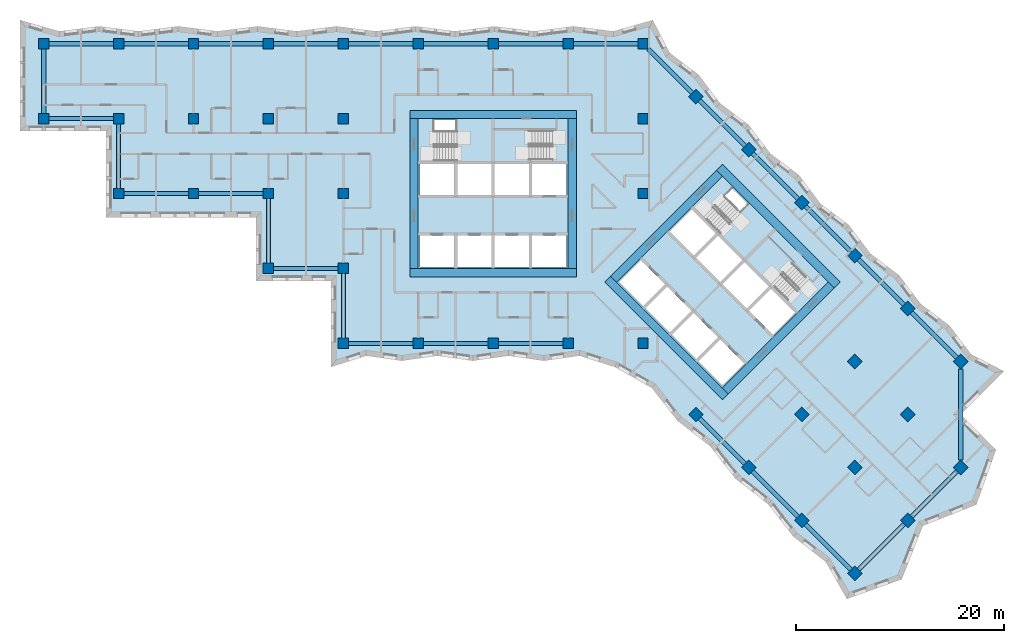
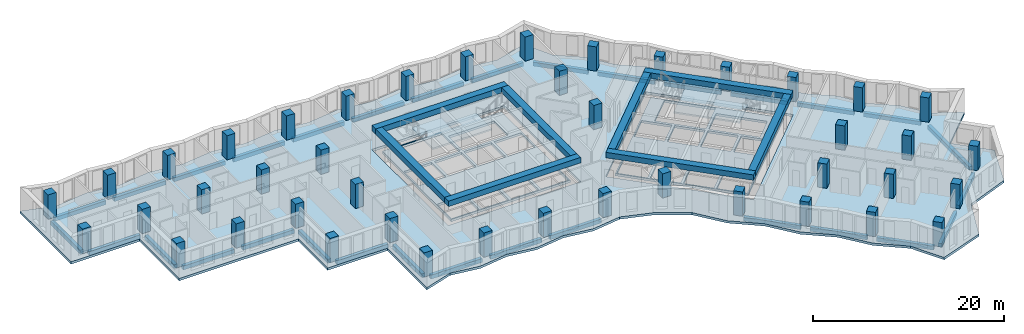
# One storey, part 1 of 13: 43 columns, 39 beams, 7 slabs, 22 openings, 4 elements without a shape of their own.
"""IFC4 building model written with IfcOpenShell, lengths in metres."""

from ifc_helpers import new_model, si_unit, direction, frame, origin, origin_2d, place, context, subcontext, project, spatial, polyline, rectangle, outline, extrude, material, layer, layer_set, material_profile, profile_set, type_object, element, aggregate, save


model = new_model("IFC4")

# Units and contexts
model_context = context("Model", 3, precision=1e-05, world=origin(), true_north=direction((0.0, 1.0)))
body_context = subcontext(model_context, "Body", "Model", "MODEL_VIEW")
ifc_project = project(units=[si_unit("LENGTHUNIT", "METRE"), si_unit("AREAUNIT", "SQUARE_METRE"), si_unit("VOLUMEUNIT", "CUBIC_METRE"), si_unit("PLANEANGLEUNIT", "RADIAN"), si_unit("MASSUNIT", "GRAM", prefix="KILO")], contexts=[model_context])

# Site, building, storey
site_placement = place(None, origin())
site = spatial("IfcSite", under=ifc_project, at=site_placement, CompositionType="ELEMENT")
building_placement = place(site_placement, origin())
building = spatial("IfcBuilding", under=site, at=building_placement, Name="Windrow Commons", CompositionType="ELEMENT")
storey_placement = place(building_placement, frame((0.0, 0.0, 101.6)))
storey = spatial("IfcBuildingStorey", under=building, at=storey_placement, Name="L27", CompositionType="ELEMENT", Elevation=101.6)

# Columns
ifc_material_1 = material(Name="Concrete C60/75", Category="concrete")
ifc_material_profile_1 = material_profile(ifc_material_1, rectangle(XDim=1.0, YDim=1.0, at=origin_2d()))
ifc_profile_set_1 = profile_set([ifc_material_profile_1], Name="Concrete C60/75")
column_type = type_object("IfcColumnType", Name="RC COLUMN 1000x1000 C60/75", PredefinedType="COLUMN", material=ifc_profile_set_1)
for number, where, z_axis, x_axis, name in (
    (1, (21.6, 64.8, 0.0), (0.0, 0.0, 1.0), (1.0, 0.0, 0.0), "C-Z2-04I"),
    (2, (21.6, 72.0, 0.0), (0.0, 0.0, 1.0), (1.0, 0.0, 0.0), "C-Z2-04J"),
    (3, (28.8, 57.6, 0.0), (0.0, 0.0, 1.0), (1.0, 0.0, 0.0), "C-Z2-05H"),
    (4, (28.8, 64.8, 0.0), (0.0, 0.0, 1.0), (1.0, 0.0, 0.0), "C-Z2-05I"),
    (5, (28.8, 72.0, 0.0), (0.0, 0.0, 1.0), (1.0, 0.0, 0.0), "C-Z2-05J"),
    (6, (36.0, 57.6, 0.0), (0.0, 0.0, 1.0), (1.0, 0.0, 0.0), "C-Z2-06H"),
    (7, (36.0, 64.8, 0.0), (0.0, 0.0, 1.0), (1.0, 0.0, 0.0), "C-Z2-06I"),
    (8, (36.0, 72.0, 0.0), (0.0, 0.0, 1.0), (1.0, 0.0, 0.0), "C-Z2-06J"),
    (9, (43.2, 50.4, 0.0), (0.0, 0.0, 1.0), (1.0, 0.0, 0.0), "C-Z2-07G"),
    (10, (43.2, 57.6, 0.0), (0.0, 0.0, 1.0), (1.0, 0.0, 0.0), "C-Z2-07H"),
    (11, (43.2, 64.8, 0.0), (0.0, 0.0, 1.0), (1.0, 0.0, 0.0), "C-Z2-07I"),
    (12, (43.2, 72.0, 0.0), (0.0, 0.0, 1.0), (1.0, 0.0, 0.0), "C-Z2-07J"),
    (13, (50.4, 43.2, 0.0), (0.0, 0.0, 1.0), (1.0, 0.0, 0.0), "C-Z2-08F"),
    (14, (50.4, 50.4, 0.0), (0.0, 0.0, 1.0), (1.0, 0.0, 0.0), "C-Z2-08G"),
    (15, (50.4, 57.6, 0.0), (0.0, 0.0, 1.0), (1.0, 0.0, 0.0), "C-Z2-08H"),
    (16, (50.4, 64.8, 0.0), (0.0, 0.0, 1.0), (1.0, 0.0, 0.0), "C-Z2-08I"),
    (17, (50.4, 72.0, 0.0), (0.0, 0.0, 1.0), (1.0, 0.0, 0.0), "C-Z2-08J"),
    (18, (57.6, 43.2, 0.0), (0.0, 0.0, 1.0), (1.0, 0.0, 0.0), "C-Z2-09F"),
    (19, (57.6, 72.0, 0.0), (0.0, 0.0, 1.0), (1.0, 0.0, 0.0), "C-Z2-09J"),
    (20, (64.8, 43.2, 0.0), (0.0, 0.0, 1.0), (1.0, 0.0, 0.0), "C-Z2-10F"),
    (21, (64.8, 72.0, 0.0), (0.0, 0.0, 1.0), (1.0, 0.0, 0.0), "C-Z2-10J"),
    (22, (72.0, 43.2, 0.0), (0.0, 0.0, 1.0), (1.0, 0.0, 0.0), "C-Z2-11F"),
    (23, (72.0, 72.0, 0.0), (0.0, 0.0, 1.0), (1.0, 0.0, 0.0), "C-Z2-11J"),
    (24, (79.2, 43.2, 0.0), (0.0, 0.0, 1.0), (1.0, 0.0, 0.0), "C-Z2-12F"),
    (25, (79.2, 57.6, 0.0), (0.0, 0.0, 1.0), (1.0, 0.0, 0.0), "C-Z2-12H"),
    (26, (79.2, 64.8, 0.0), (0.0, 0.0, 1.0), (1.0, 0.0, 0.0), "C-Z2-12I"),
    (27, (79.2, 72.0, 0.0), (0.0, 0.0, 1.0), (1.0, 0.0, 0.0), "C-Z2-12J"),
    (28, (84.2912, 66.9088, 0.0), (0.0, 0.0, 1.0), (0.7071067812, -0.7071067812, 0.0), "C-Z2-P2Q"),
    (29, (89.3823, 61.8177, 0.0), (0.0, 0.0, 1.0), (0.7071067812, -0.7071067812, 0.0), "C-Z2-P3Q"),
    (30, (94.4735, 56.7265, 0.0), (0.0, 0.0, 1.0), (0.7071067812, -0.7071067812, 0.0), "C-Z2-P4Q"),
    (31, (99.5647, 51.6353, 0.0), (0.0, 0.0, 1.0), (0.7071067812, -0.7071067812, 0.0), "C-Z2-P5Q"),
    (32, (84.2912, 36.3618, 0.0), (0.0, 0.0, 1.0), (0.7071067812, -0.7071067812, 0.0), "C-Z2-P5T"),
    (33, (104.6558, 46.5442, 0.0), (0.0, 0.0, 1.0), (0.7071067812, -0.7071067812, 0.0), "C-Z2-P6Q"),
    (34, (99.5647, 41.453, 0.0), (0.0, 0.0, 1.0), (0.7071067812, -0.7071067812, 0.0), "C-Z2-P6R"),
    (35, (94.4735, 36.3618, 0.0), (0.0, 0.0, 1.0), (0.7071067812, -0.7071067812, 0.0), "C-Z2-P6S"),
    (36, (89.3823, 31.2706, 0.0), (0.0, 0.0, 1.0), (0.7071067812, -0.7071067812, 0.0), "C-Z2-P6T"),
    (37, (109.747, 41.453, 0.0), (0.0, 0.0, 1.0), (0.7071067812, -0.7071067812, 0.0), "C-Z2-P7Q"),
    (38, (104.6558, 36.3618, 0.0), (0.0, 0.0, 1.0), (0.7071067812, -0.7071067812, 0.0), "C-Z2-P7R"),
    (39, (99.5647, 31.2706, 0.0), (0.0, 0.0, 1.0), (0.7071067812, -0.7071067812, 0.0), "C-Z2-P7S"),
    (40, (94.4735, 26.1795, 0.0), (0.0, 0.0, 1.0), (0.7071067812, -0.7071067812, 0.0), "C-Z2-P7T"),
    (41, (109.747, 31.2706, 0.0), (0.0, 0.0, 1.0), (0.7071067812, -0.7071067812, 0.0), "C-Z2-P8R"),
    (42, (104.6558, 26.1795, 0.0), (0.0, 0.0, 1.0), (0.7071067812, -0.7071067812, 0.0), "C-Z2-P8S"),
    (43, (99.5647, 21.0883, 0.0), (0.0, 0.0, 1.0), (0.7071067812, -0.7071067812, 0.0), "C-Z2-P8T"),
):
    element("IfcColumn", number, at=place(storey_placement, frame(where, z_axis=z_axis, x_axis=x_axis)), inside=storey, type_object=column_type, Name=name, PredefinedType="COLUMN", context=body_context, shape_type="SweptSolid", body=[
        extrude(rectangle(XDim=1.0, YDim=1.0, at=origin_2d()), origin(), (0.0, 0.0, 1.0), 3.1),
    ])

# Beams
ifc_material_2 = material(Name="Concrete C50/60", Category="concrete")
ifc_material_profile_2 = material_profile(ifc_material_2, rectangle(XDim=0.8, YDim=0.7, at=origin_2d()))
ifc_profile_set_2 = profile_set([ifc_material_profile_2], Name="Concrete C50/60")
beam_type_1 = type_object("IfcBeamType", Name="RC COUPLING BEAM 800x700 C50/60", PredefinedType="LINTEL", material=ifc_profile_set_2)
for number, where, z_axis, x_axis, name in (
    (44, (56.8, 50.0, 2.75), (1.0, 0.0, 0.0), (0.0, 1.0, 0.0), "Core A coupling beam outer-S"),
    (45, (56.8, 65.2, 2.75), (1.0, 0.0, 0.0), (0.0, 1.0, 0.0), "Core A coupling beam outer-N"),
):
    element("IfcBeam", number, at=place(storey_placement, frame(where, z_axis=z_axis, x_axis=x_axis)), inside=storey, type_object=beam_type_1, Name=name, PredefinedType="LINTEL", context=body_context, shape_type="SweptSolid", body=[
        extrude(rectangle(XDim=0.8, YDim=0.7, at=origin_2d()), origin(), (0.0, 0.0, 1.0), 16.0),
    ])
for number, where, z_axis, x_axis, name in (
    (46, (57.2, 50.4, 2.75), (0.0, 1.0, 0.0), (-1.0, 0.0, 0.0), "Core A coupling beam outer-W"),
    (47, (72.4, 50.4, 2.75), (0.0, 1.0, 0.0), (-1.0, 0.0, 0.0), "Core A coupling beam outer-E"),
):
    element("IfcBeam", number, at=place(storey_placement, frame(where, z_axis=z_axis, x_axis=x_axis)), inside=storey, type_object=beam_type_1, Name=name, PredefinedType="LINTEL", context=body_context, shape_type="SweptSolid", body=[
        extrude(rectangle(XDim=0.8, YDim=0.7, at=origin_2d()), origin(), (0.0, 0.0, 1.0), 14.4),
    ])
for number, where, z_axis, x_axis, name in (
    (48, (75.8059, 49.3726, 2.75), (0.7071067812, -0.7071067812, 0.0), (0.7071067812, 0.7071067812, 0.0), "Core B coupling beam outer-S"),
    (49, (86.5539, 60.1206, 2.75), (0.7071067812, -0.7071067812, 0.0), (0.7071067812, 0.7071067812, 0.0), "Core B coupling beam outer-N"),
):
    element("IfcBeam", number, at=place(storey_placement, frame(where, z_axis=z_axis, x_axis=x_axis)), inside=storey, type_object=beam_type_1, Name=name, PredefinedType="LINTEL", context=body_context, shape_type="SweptSolid", body=[
        extrude(rectangle(XDim=0.8, YDim=0.7, at=origin_2d()), origin(), (0.0, 0.0, 1.0), 16.0),
    ])
for number, where, z_axis, x_axis, name in (
    (50, (76.3716, 49.3726, 2.75), (0.7071067812, 0.7071067812, 0.0), (-0.7071067812, 0.7071067812, 0.0), "Core B coupling beam outer-W"),
    (51, (87.1196, 38.6246, 2.75), (0.7071067812, 0.7071067812, 0.0), (-0.7071067812, 0.7071067812, 0.0), "Core B coupling beam outer-E"),
):
    element("IfcBeam", number, at=place(storey_placement, frame(where, z_axis=z_axis, x_axis=x_axis)), inside=storey, type_object=beam_type_1, Name=name, PredefinedType="LINTEL", context=body_context, shape_type="SweptSolid", body=[
        extrude(rectangle(XDim=0.8, YDim=0.7, at=origin_2d()), origin(), (0.0, 0.0, 1.0), 14.3999),
    ])
ifc_material_3 = material(Name="Concrete C50/60", Category="concrete")
ifc_material_profile_3 = material_profile(ifc_material_3, rectangle(XDim=0.4, YDim=0.5, at=origin_2d()))
ifc_profile_set_3 = profile_set([ifc_material_profile_3], Name="Concrete C50/60")
beam_type_2 = type_object("IfcBeamType", Name="RC EDGE BEAM 400x500 C50/60", PredefinedType="SPANDREL", material=ifc_profile_set_3)
for number, where, z_axis, x_axis, name in (
    (52, (35.5, 57.6, -0.55), (-1.0, 0.0, 0.0), (0.0, -1.0, 0.0), "Edge beam L27 001"),
    (53, (28.8, 58.1, -0.55), (0.0, 1.0, 0.0), (-1.0, 0.0, 0.0), "Edge beam L27 002"),
    (54, (28.3, 64.8, -0.55), (-1.0, 0.0, 0.0), (0.0, -1.0, 0.0), "Edge beam L27 003"),
    (55, (21.6, 65.3, -0.55), (0.0, 1.0, 0.0), (-1.0, 0.0, 0.0), "Edge beam L27 004"),
    (56, (22.1, 72.0, -0.55), (1.0, 0.0, 0.0), (0.0, 1.0, 0.0), "Edge beam L27 005"),
    (57, (29.3, 72.0, -0.55), (1.0, 0.0, 0.0), (0.0, 1.0, 0.0), "Edge beam L27 006"),
    (58, (36.5, 72.0, -0.55), (1.0, 0.0, 0.0), (0.0, 1.0, 0.0), "Edge beam L27 007"),
    (59, (43.7, 72.0, -0.55), (1.0, 0.0, 0.0), (0.0, 1.0, 0.0), "Edge beam L27 008"),
    (60, (50.9, 72.0, -0.55), (1.0, 0.0, 0.0), (0.0, 1.0, 0.0), "Edge beam L27 009"),
    (61, (58.1, 72.0, -0.55), (1.0, 0.0, 0.0), (0.0, 1.0, 0.0), "Edge beam L27 010"),
    (62, (65.3, 72.0, -0.55), (1.0, 0.0, 0.0), (0.0, 1.0, 0.0), "Edge beam L27 011"),
    (63, (72.5, 72.0, -0.55), (1.0, 0.0, 0.0), (0.0, 1.0, 0.0), "Edge beam L27 012"),
):
    element("IfcBeam", number, at=place(storey_placement, frame(where, z_axis=z_axis, x_axis=x_axis)), inside=storey, type_object=beam_type_2, Name=name, PredefinedType="SPANDREL", context=body_context, shape_type="SweptSolid", body=[
        extrude(rectangle(XDim=0.4, YDim=0.5, at=origin_2d()), origin(), (0.0, 0.0, 1.0), 6.2),
    ])
beam_1_placement = place(storey_placement, frame((79.7, 71.5, -0.55), z_axis=(0.7071067812, -0.7071067812, 0.0), x_axis=(0.7071067812, 0.7071067812, 0.0)))
element("IfcBeam", 64, at=beam_1_placement, inside=storey, type_object=beam_type_2, Name="Edge beam L27 013", PredefinedType="SPANDREL", context=body_context, shape_type="SweptSolid", body=[
    extrude(rectangle(XDim=0.4, YDim=0.5, at=origin_2d()), origin(), (0.0, 0.0, 1.0), 5.9929),
])
beam_2_placement = place(storey_placement, frame((84.6448, 66.5552, -0.55), z_axis=(0.7071067812, -0.7071067812, 0.0), x_axis=(0.7071067812, 0.7071067812, 0.0)))
element("IfcBeam", 65, at=beam_2_placement, inside=storey, type_object=beam_type_2, Name="Edge beam L27 014", PredefinedType="SPANDREL", context=body_context, shape_type="SweptSolid", body=[
    extrude(rectangle(XDim=0.4, YDim=0.5, at=origin_2d()), origin(), (0.0, 0.0, 1.0), 6.1998),
])
for number, where, z_axis, x_axis, name in (
    (66, (89.7359, 61.4641, -0.55), (0.7071067812, -0.7071067812, 0.0), (0.7071067812, 0.7071067812, 0.0), "Edge beam L27 015"),
    (67, (94.8271, 56.3729, -0.55), (0.7071067812, -0.7071067812, 0.0), (0.7071067812, 0.7071067812, 0.0), "Edge beam L27 016"),
):
    element("IfcBeam", number, at=place(storey_placement, frame(where, z_axis=z_axis, x_axis=x_axis)), inside=storey, type_object=beam_type_2, Name=name, PredefinedType="SPANDREL", context=body_context, shape_type="SweptSolid", body=[
        extrude(rectangle(XDim=0.4, YDim=0.5, at=origin_2d()), origin(), (0.0, 0.0, 1.0), 6.1999),
    ])
beam_3_placement = place(storey_placement, frame((99.9183, 51.2817, -0.55), z_axis=(0.7071067812, -0.7071067812, 0.0), x_axis=(0.7071067812, 0.7071067812, 0.0)))
element("IfcBeam", 68, at=beam_3_placement, inside=storey, type_object=beam_type_2, Name="Edge beam L27 017", PredefinedType="SPANDREL", context=body_context, shape_type="SweptSolid", body=[
    extrude(rectangle(XDim=0.4, YDim=0.5, at=origin_2d()), origin(), (0.0, 0.0, 1.0), 6.1998),
])
beam_4_placement = place(storey_placement, frame((105.0094, 46.1906, -0.55), z_axis=(0.7071067812, -0.7071067812, 0.0), x_axis=(0.7071067812, 0.7071067812, 0.0)))
element("IfcBeam", 69, at=beam_4_placement, inside=storey, type_object=beam_type_2, Name="Edge beam L27 018", PredefinedType="SPANDREL", context=body_context, shape_type="SweptSolid", body=[
    extrude(rectangle(XDim=0.4, YDim=0.5, at=origin_2d()), origin(), (0.0, 0.0, 1.0), 6.1999),
])
beam_5_placement = place(storey_placement, frame((109.747, 40.7459, -0.55), z_axis=(0.0, -1.0, 0.0), x_axis=(1.0, 0.0, 0.0)))
element("IfcBeam", 70, at=beam_5_placement, inside=storey, type_object=beam_type_2, Name="Edge beam L27 019", PredefinedType="SPANDREL", context=body_context, shape_type="SweptSolid", body=[
    extrude(rectangle(XDim=0.4, YDim=0.5, at=origin_2d()), origin(), (0.0, 0.0, 1.0), 8.7682),
])
for number, where, z_axis, x_axis, name in (
    (71, (109.3934, 30.917, -0.55), (-0.7071148459, -0.7070987164, 0.0), (0.7070987164, -0.7071148459, 0.0), "Edge beam L27 020"),
    (72, (104.3022, 25.8259, -0.55), (-0.7070987164, -0.7071148459, 0.0), (0.7071148459, -0.7070987164, 0.0), "Edge beam L27 021"),
):
    element("IfcBeam", number, at=place(storey_placement, frame(where, z_axis=z_axis, x_axis=x_axis)), inside=storey, type_object=beam_type_2, Name=name, PredefinedType="SPANDREL", context=body_context, shape_type="SweptSolid", body=[
        extrude(rectangle(XDim=0.4, YDim=0.5, at=origin_2d()), origin(), (0.0, 0.0, 1.0), 6.1998),
    ])
beam_6_placement = place(storey_placement, frame((99.2111, 21.4419, -0.55), z_axis=(-0.7071067812, 0.7071067812, 0.0), x_axis=(-0.7071067812, -0.7071067812, 0.0)))
element("IfcBeam", 73, at=beam_6_placement, inside=storey, type_object=beam_type_2, Name="Edge beam L27 022", PredefinedType="SPANDREL", context=body_context, shape_type="SweptSolid", body=[
    extrude(rectangle(XDim=0.4, YDim=0.5, at=origin_2d()), origin(), (0.0, 0.0, 1.0), 6.1999),
])
for number, where, z_axis, x_axis, name in (
    (74, (94.1199, 26.5331, -0.55), (-0.7071148459, 0.7070987164, 0.0), (-0.7070987164, -0.7071148459, 0.0), "Edge beam L27 023"),
    (75, (89.0287, 31.6242, -0.55), (-0.7070987164, 0.7071148459, 0.0), (-0.7071148459, -0.7070987164, 0.0), "Edge beam L27 024"),
):
    element("IfcBeam", number, at=place(storey_placement, frame(where, z_axis=z_axis, x_axis=x_axis)), inside=storey, type_object=beam_type_2, Name=name, PredefinedType="SPANDREL", context=body_context, shape_type="SweptSolid", body=[
        extrude(rectangle(XDim=0.4, YDim=0.5, at=origin_2d()), origin(), (0.0, 0.0, 1.0), 6.1998),
    ])
for number, where, z_axis, x_axis, name in (
    (76, (71.5, 43.2, -0.55), (-1.0, 0.0, 0.0), (0.0, -1.0, 0.0), "Edge beam L27 025"),
    (77, (64.3, 43.2, -0.55), (-1.0, 0.0, 0.0), (0.0, -1.0, 0.0), "Edge beam L27 026"),
    (78, (57.1, 43.2, -0.55), (-1.0, 0.0, 0.0), (0.0, -1.0, 0.0), "Edge beam L27 027"),
    (79, (50.4, 43.7, -0.55), (0.0, 1.0, 0.0), (-1.0, 0.0, 0.0), "Edge beam L27 028"),
    (80, (49.9, 50.4, -0.55), (-1.0, 0.0, 0.0), (0.0, -1.0, 0.0), "Edge beam L27 029"),
    (81, (43.2, 50.9, -0.55), (0.0, 1.0, 0.0), (-1.0, 0.0, 0.0), "Edge beam L27 030"),
    (82, (42.7, 57.6, -0.55), (-1.0, 0.0, 0.0), (0.0, -1.0, 0.0), "Edge beam L27 031"),
):
    element("IfcBeam", number, at=place(storey_placement, frame(where, z_axis=z_axis, x_axis=x_axis)), inside=storey, type_object=beam_type_2, Name=name, PredefinedType="SPANDREL", context=body_context, shape_type="SweptSolid", body=[
        extrude(rectangle(XDim=0.4, YDim=0.5, at=origin_2d()), origin(), (0.0, 0.0, 1.0), 6.2),
    ])

# Slab, openings
ifc_material_4 = material(Name="Concrete C50/60", Category="concrete")
ifc_layer_1 = layer(ifc_material_4, 0.3)
ifc_layer_set_1 = layer_set([ifc_layer_1], Name="CORE FLOOR SLAB 300 C50/60")
slab_type_1 = type_object("IfcSlabType", Name="CORE FLOOR SLAB 300 C50/60", PredefinedType="FLOOR", material=ifc_layer_set_1)
placement_1 = place(storey_placement, frame((0.0, 0.0, -0.3)))
slab_1 = element("IfcSlab", 83, at=placement_1, inside=storey, type_object=slab_type_1, Name="S-L27-core-A", PredefinedType="FLOOR", context=body_context, shape_type="SweptSolid", body=[
    extrude(outline(polyline([(57.6, 50.4), (72.0, 50.4), (72.0, 64.8), (57.6, 64.8), (57.6, 50.4)]), holes=[polyline([(57.75, 50.55), (61.05, 50.55), (61.05, 53.55), (57.75, 53.55), (57.75, 50.55)]), polyline([(61.35, 50.55), (64.65, 50.55), (64.65, 53.55), (61.35, 53.55), (61.35, 50.55)]), polyline([(64.95, 50.55), (68.25, 50.55), (68.25, 53.55), (64.95, 53.55), (64.95, 50.55)]), polyline([(68.55, 50.55), (71.85, 50.55), (71.85, 53.55), (68.55, 53.55), (68.55, 50.55)]), polyline([(57.75, 57.45), (61.05, 57.45), (61.05, 60.45), (57.75, 60.45), (57.75, 57.45)]), polyline([(61.35, 57.45), (64.65, 57.45), (64.65, 60.45), (61.35, 60.45), (61.35, 57.45)]), polyline([(64.95, 57.45), (68.25, 57.45), (68.25, 60.45), (64.95, 60.45), (64.95, 57.45)]), polyline([(68.55, 57.45), (71.85, 57.45), (71.85, 60.45), (68.55, 60.45), (68.55, 57.45)]), polyline([(59.1, 60.75), (64.65, 60.75), (64.65, 64.65), (59.1, 64.65), (59.1, 60.75)]), polyline([(64.95, 60.75), (70.5, 60.75), (70.5, 63.705), (64.95, 63.705), (64.95, 60.75)])]), origin(), (0.0, 0.0, 1.0), 0.3),
])
opening_1_placement = place(placement_1, origin())
element("IfcOpeningElement", 84, at=opening_1_placement, cuts=slab_1, Name="Slab opening S-L27-core-A 1", PredefinedType="OPENING", context=body_context, shape_type="SweptSolid", body=[
    extrude(outline(polyline([(57.755, 50.555), (57.755, 53.545), (61.045, 53.545), (61.045, 50.555), (57.755, 50.555)])), origin(), (0.0, 0.0, 1.0), 0.3),
])
opening_2_placement = place(placement_1, origin())
element("IfcOpeningElement", 85, at=opening_2_placement, cuts=slab_1, Name="Slab opening S-L27-core-A 2", PredefinedType="OPENING", context=body_context, shape_type="SweptSolid", body=[
    extrude(outline(polyline([(61.355, 50.555), (61.355, 53.545), (64.645, 53.545), (64.645, 50.555), (61.355, 50.555)])), origin(), (0.0, 0.0, 1.0), 0.3),
])
opening_3_placement = place(placement_1, origin())
element("IfcOpeningElement", 86, at=opening_3_placement, cuts=slab_1, Name="Slab opening S-L27-core-A 3", PredefinedType="OPENING", context=body_context, shape_type="SweptSolid", body=[
    extrude(outline(polyline([(64.955, 50.555), (64.955, 53.545), (68.245, 53.545), (68.245, 50.555), (64.955, 50.555)])), origin(), (0.0, 0.0, 1.0), 0.3),
])
opening_4_placement = place(placement_1, origin())
element("IfcOpeningElement", 87, at=opening_4_placement, cuts=slab_1, Name="Slab opening S-L27-core-A 4", PredefinedType="OPENING", context=body_context, shape_type="SweptSolid", body=[
    extrude(outline(polyline([(68.555, 50.555), (68.555, 53.545), (71.845, 53.545), (71.845, 50.555), (68.555, 50.555)])), origin(), (0.0, 0.0, 1.0), 0.3),
])
opening_5_placement = place(placement_1, origin())
element("IfcOpeningElement", 88, at=opening_5_placement, cuts=slab_1, Name="Slab opening S-L27-core-A 5", PredefinedType="OPENING", context=body_context, shape_type="SweptSolid", body=[
    extrude(outline(polyline([(57.755, 57.455), (57.755, 60.445), (61.045, 60.445), (61.045, 57.455), (57.755, 57.455)])), origin(), (0.0, 0.0, 1.0), 0.3),
])
opening_6_placement = place(placement_1, origin())
element("IfcOpeningElement", 89, at=opening_6_placement, cuts=slab_1, Name="Slab opening S-L27-core-A 6", PredefinedType="OPENING", context=body_context, shape_type="SweptSolid", body=[
    extrude(outline(polyline([(61.355, 57.455), (61.355, 60.445), (64.645, 60.445), (64.645, 57.455), (61.355, 57.455)])), origin(), (0.0, 0.0, 1.0), 0.3),
])
opening_7_placement = place(placement_1, origin())
element("IfcOpeningElement", 90, at=opening_7_placement, cuts=slab_1, Name="Slab opening S-L27-core-A 7", PredefinedType="OPENING", context=body_context, shape_type="SweptSolid", body=[
    extrude(outline(polyline([(64.955, 57.455), (64.955, 60.445), (68.245, 60.445), (68.245, 57.455), (64.955, 57.455)])), origin(), (0.0, 0.0, 1.0), 0.3),
])
opening_8_placement = place(placement_1, origin())
element("IfcOpeningElement", 91, at=opening_8_placement, cuts=slab_1, Name="Slab opening S-L27-core-A 8", PredefinedType="OPENING", context=body_context, shape_type="SweptSolid", body=[
    extrude(outline(polyline([(68.555, 57.455), (68.555, 60.445), (71.845, 60.445), (71.845, 57.455), (68.555, 57.455)])), origin(), (0.0, 0.0, 1.0), 0.3),
])
opening_9_placement = place(placement_1, origin())
element("IfcOpeningElement", 92, at=opening_9_placement, cuts=slab_1, Name="Slab opening S-L27-core-A 9", PredefinedType="OPENING", context=body_context, shape_type="SweptSolid", body=[
    extrude(outline(polyline([(59.105, 60.755), (59.105, 64.645), (64.645, 64.645), (64.645, 60.755), (59.105, 60.755)])), origin(), (0.0, 0.0, 1.0), 0.3),
])
opening_10_placement = place(placement_1, origin())
element("IfcOpeningElement", 93, at=opening_10_placement, cuts=slab_1, Name="Slab opening S-L27-core-A 10", PredefinedType="OPENING", context=body_context, shape_type="SweptSolid", body=[
    extrude(outline(polyline([(64.955, 60.755), (64.955, 63.7), (70.495, 63.7), (70.495, 60.755), (64.955, 60.755)])), origin(), (0.0, 0.0, 1.0), 0.3),
])

slab_2 = element("IfcSlab", 94, at=placement_1, inside=storey, type_object=slab_type_1, Name="S-L27-core-B", PredefinedType="FLOOR", context=body_context, shape_type="SweptSolid", body=[
    extrude(outline(polyline([(76.6544, 49.0897), (86.8368, 38.9074), (97.0191, 49.0897), (86.8368, 59.2721), (76.6544, 49.0897)]), holes=[polyline([(76.8665, 49.0897), (79.2, 46.7563), (81.3213, 48.8776), (78.9879, 51.2111), (76.8665, 49.0897)]), polyline([(79.4121, 46.5442), (81.7456, 44.2107), (83.8669, 46.332), (81.5335, 48.6655), (79.4121, 46.5442)]), polyline([(81.9577, 43.9986), (84.2912, 41.6651), (86.4125, 43.7864), (84.079, 46.1199), (81.9577, 43.9986)]), polyline([(84.5033, 41.453), (86.8368, 39.1195), (88.9581, 41.2409), (86.6246, 43.5743), (84.5033, 41.453)]), polyline([(81.7456, 53.9688), (84.079, 51.6353), (86.2004, 53.7566), (83.8669, 56.0901), (81.7456, 53.9688)]), polyline([(84.2912, 51.4232), (86.6246, 49.0897), (88.7459, 51.2111), (86.4125, 53.5445), (84.2912, 51.4232)]), polyline([(86.8368, 48.8776), (89.1702, 46.5442), (91.2915, 48.6655), (88.9581, 50.9989), (86.8368, 48.8776)]), polyline([(89.3823, 46.332), (91.7158, 43.9986), (93.8371, 46.1199), (91.5037, 48.4533), (89.3823, 46.332)]), polyline([(85.0336, 55.3476), (88.9581, 51.4232), (91.7158, 54.1809), (87.7913, 58.1054), (85.0336, 55.3476)]), polyline([(89.1702, 51.2111), (93.0946, 47.2866), (95.1841, 49.3761), (91.2597, 53.3006), (89.1702, 51.2111)])]), origin(), (0.0, 0.0, 1.0), 0.3),
])
opening_11_placement = place(placement_1, origin())
element("IfcOpeningElement", 95, at=opening_11_placement, cuts=slab_2, Name="Slab opening S-L27-core-B 1", PredefinedType="OPENING", context=body_context, shape_type="SweptSolid", body=[
    extrude(outline(polyline([(76.8736, 49.0897), (78.9879, 51.204), (81.3142, 48.8776), (79.2, 46.7634), (76.8736, 49.0897)])), origin(), (0.0, 0.0, 1.0), 0.3),
])
opening_12_placement = place(placement_1, origin())
element("IfcOpeningElement", 96, at=opening_12_placement, cuts=slab_2, Name="Slab opening S-L27-core-B 2", PredefinedType="OPENING", context=body_context, shape_type="SweptSolid", body=[
    extrude(outline(polyline([(79.4192, 46.5442), (81.5335, 48.6584), (83.8598, 46.332), (81.7456, 44.2178), (79.4192, 46.5442)])), origin(), (0.0, 0.0, 1.0), 0.3),
])
opening_13_placement = place(placement_1, origin())
element("IfcOpeningElement", 97, at=opening_13_placement, cuts=slab_2, Name="Slab opening S-L27-core-B 3", PredefinedType="OPENING", context=body_context, shape_type="SweptSolid", body=[
    extrude(outline(polyline([(81.9648, 43.9986), (84.079, 46.1128), (86.4054, 43.7864), (84.2912, 41.6722), (81.9648, 43.9986)])), origin(), (0.0, 0.0, 1.0), 0.3),
])
opening_14_placement = place(placement_1, origin())
element("IfcOpeningElement", 98, at=opening_14_placement, cuts=slab_2, Name="Slab opening S-L27-core-B 4", PredefinedType="OPENING", context=body_context, shape_type="SweptSolid", body=[
    extrude(outline(polyline([(84.5104, 41.453), (86.6246, 43.5672), (88.951, 41.2409), (86.8368, 39.1266), (84.5104, 41.453)])), origin(), (0.0, 0.0, 1.0), 0.3),
])
opening_15_placement = place(placement_1, origin())
element("IfcOpeningElement", 99, at=opening_15_placement, cuts=slab_2, Name="Slab opening S-L27-core-B 5", PredefinedType="OPENING", context=body_context, shape_type="SweptSolid", body=[
    extrude(outline(polyline([(81.7527, 53.9688), (83.8669, 56.083), (86.1933, 53.7566), (84.079, 51.6424), (81.7527, 53.9688)])), origin(), (0.0, 0.0, 1.0), 0.3),
])
opening_16_placement = place(placement_1, origin())
element("IfcOpeningElement", 100, at=opening_16_placement, cuts=slab_2, Name="Slab opening S-L27-core-B 6", PredefinedType="OPENING", context=body_context, shape_type="SweptSolid", body=[
    extrude(outline(polyline([(84.2983, 51.4232), (86.4125, 53.5374), (88.7388, 51.2111), (86.6246, 49.0968), (84.2983, 51.4232)])), origin(), (0.0, 0.0, 1.0), 0.3),
])
opening_17_placement = place(placement_1, origin())
element("IfcOpeningElement", 101, at=opening_17_placement, cuts=slab_2, Name="Slab opening S-L27-core-B 7", PredefinedType="OPENING", context=body_context, shape_type="SweptSolid", body=[
    extrude(outline(polyline([(86.8439, 48.8776), (88.9581, 50.9918), (91.2844, 48.6655), (89.1702, 46.5513), (86.8439, 48.8776)])), origin(), (0.0, 0.0, 1.0), 0.3),
])
opening_18_placement = place(placement_1, origin())
element("IfcOpeningElement", 102, at=opening_18_placement, cuts=slab_2, Name="Slab opening S-L27-core-B 8", PredefinedType="OPENING", context=body_context, shape_type="SweptSolid", body=[
    extrude(outline(polyline([(89.3894, 46.332), (91.5037, 48.4462), (93.83, 46.1199), (91.7158, 44.0057), (89.3894, 46.332)])), origin(), (0.0, 0.0, 1.0), 0.3),
])
opening_19_placement = place(placement_1, origin())
element("IfcOpeningElement", 103, at=opening_19_placement, cuts=slab_2, Name="Slab opening S-L27-core-B 9", PredefinedType="OPENING", context=body_context, shape_type="SweptSolid", body=[
    extrude(outline(polyline([(85.0407, 55.3476), (87.7913, 58.0983), (91.7087, 54.1809), (88.9581, 51.4303), (85.0407, 55.3476)])), origin(), (0.0, 0.0, 1.0), 0.3),
])
opening_20_placement = place(placement_1, origin())
element("IfcOpeningElement", 104, at=opening_20_placement, cuts=slab_2, Name="Slab opening S-L27-core-B 10", PredefinedType="OPENING", context=body_context, shape_type="SweptSolid", body=[
    extrude(outline(polyline([(89.1773, 51.2111), (91.2597, 53.2935), (95.177, 49.3761), (93.0946, 47.2937), (89.1773, 51.2111)])), origin(), (0.0, 0.0, 1.0), 0.3),
])

# Stair, slab
ifc_material_5 = material(Name="Concrete C40/50", Category="concrete")
stair_type = type_object("IfcStairType", Name="Core stair", PredefinedType="HALF_TURN_STAIR", material=ifc_material_5)
placement_2 = place(storey_placement, origin())
stair_1 = element("IfcStair", 105, at=placement_2, inside=storey, type_object=stair_type, Name="L27 Exit stair A1 core A", PredefinedType="HALF_TURN_STAIR")
ifc_material_6 = material(Name="Concrete C40/50", Category="concrete")
ifc_layer_2 = layer(ifc_material_6, 0.2)
ifc_layer_set_2 = layer_set([ifc_layer_2], Name="Core stair landing")
slab_type_2 = type_object("IfcSlabType", Name="Core stair landing", PredefinedType="LANDING", material=ifc_layer_set_2)
placement_3 = place(storey_placement, frame((0.0, 0.0, 1.5)))
slab_3 = element("IfcSlab", 106, at=placement_3, type_object=slab_type_2, Name="ST-A1 landing 1", PredefinedType="LANDING", context=body_context, shape_type="SweptSolid", body=[
    extrude(outline(polyline([(61.22, 60.5), (64.8, 60.5), (64.8, 64.9), (61.22, 64.9), (61.22, 60.5)])), origin(), (0.0, 0.0, 1.0), 0.2),
])
aggregate(stair_1, [slab_3])

stair_2 = element("IfcStair", 107, at=placement_2, inside=storey, type_object=stair_type, Name="L27 Exit stair A2 core A", PredefinedType="HALF_TURN_STAIR")
slab_4 = element("IfcSlab", 108, at=placement_3, type_object=slab_type_2, Name="ST-A2 landing 1", PredefinedType="LANDING", context=body_context, shape_type="SweptSolid", body=[
    extrude(outline(polyline([(64.8, 60.5), (68.38, 60.5), (68.38, 63.855), (64.8, 63.855), (64.8, 60.5)])), origin(), (0.0, 0.0, 1.0), 0.2),
])
aggregate(stair_2, [slab_4])

stair_3 = element("IfcStair", 109, at=placement_2, inside=storey, type_object=stair_type, Name="L27 Exit stair B1 core B", PredefinedType="HALF_TURN_STAIR")
slab_5 = element("IfcSlab", 110, at=placement_3, type_object=slab_type_2, Name="ST-B1 landing 1", PredefinedType="LANDING", context=body_context, shape_type="SweptSolid", body=[
    extrude(outline(polyline([(86.3559, 53.6718), (88.8874, 51.1403), (91.9986, 54.2516), (89.4672, 56.7831), (86.3559, 53.6718)])), origin(), (0.0, 0.0, 1.0), 0.2),
])
aggregate(stair_3, [slab_5])

stair_4 = element("IfcStair", 111, at=placement_2, inside=storey, type_object=stair_type, Name="L27 Exit stair B2 core B", PredefinedType="HALF_TURN_STAIR")
slab_6 = element("IfcSlab", 112, at=placement_3, type_object=slab_type_2, Name="ST-B2 landing 1", PredefinedType="LANDING", context=body_context, shape_type="SweptSolid", body=[
    extrude(outline(polyline([(88.8874, 51.1403), (91.4188, 48.6089), (93.7911, 50.9812), (91.2597, 53.5127), (88.8874, 51.1403)])), origin(), (0.0, 0.0, 1.0), 0.2),
])
aggregate(stair_4, [slab_6])

# Slab, openings
ifc_material_7 = material(Name="Concrete C50/60", Category="concrete")
ifc_layer_3 = layer(ifc_material_7, 0.3)
ifc_layer_set_3 = layer_set([ifc_layer_3], Name="FLOOR SLAB 300 C50/60")
slab_type_3 = type_object("IfcSlabType", Name="FLOOR SLAB 300 C50/60", PredefinedType="FLOOR", material=ifc_layer_set_3)
slab_7 = element("IfcSlab", 113, at=placement_1, inside=storey, type_object=slab_type_3, Name="S-L27-floor", PredefinedType="FLOOR", context=body_context, shape_type="SweptSolid", body=[
    extrude(outline(polyline([(96.7782, 22.1778), (98.7996, 18.6262), (104.082, 20.5145), (106.1118, 25.6555), (111.2528, 27.6853), (113.1411, 32.9677), (109.747, 36.3618), (113.9062, 40.521), (110.7296, 42.1674), (108.6589, 44.9197), (105.9066, 46.9904), (103.836, 49.7427), (101.0836, 51.8134), (99.013, 54.5657), (96.2606, 56.6364), (94.19, 59.3887), (91.4377, 61.4594), (89.367, 64.2117), (86.6147, 66.2824), (84.544, 69.0347), (81.7917, 71.1054), (80.1453, 74.282), (76.3436, 73.2), (72.5419, 73.682), (68.7402, 73.2), (64.9385, 73.682), (61.1368, 73.2), (57.3351, 73.682), (53.5333, 73.2), (49.7316, 73.682), (45.9299, 73.2), (42.1282, 73.682), (38.3265, 73.2), (34.5248, 73.682), (30.7231, 73.2), (26.9214, 73.682), (23.1197, 73.2), (19.318, 74.282), (19.318, 63.6), (27.6, 63.6), (27.6, 55.318), (42.0, 55.318), (42.0, 49.2), (49.2, 49.2), (49.2, 40.918), (52.6135, 42.0), (56.0269, 41.518), (59.4404, 42.0), (62.8539, 41.518), (66.2673, 42.0), (69.6808, 41.518), (73.0943, 42.0), (76.5077, 40.918), (80.0593, 38.8966), (82.505, 35.7693), (85.6323, 33.3237), (88.0779, 30.1964), (91.2052, 27.7507), (93.6509, 24.6234), (96.7782, 22.1778)]), holes=[polyline([(75.523, 49.0897), (86.8368, 60.4034), (98.1505, 49.0897), (86.8368, 37.776), (75.523, 49.0897)]), polyline([(56.8, 49.6), (56.8, 65.6), (72.8, 65.6), (72.8, 49.6), (56.8, 49.6)])]), origin(), (0.0, 0.0, 1.0), 0.3),
])
opening_21_placement = place(placement_1, origin())
element("IfcOpeningElement", 114, at=opening_21_placement, cuts=slab_7, Name="Slab opening S-L27-floor 1", PredefinedType="OPENING", context=body_context, shape_type="SweptSolid", body=[
    extrude(outline(polyline([(75.5301, 49.0897), (86.8368, 60.3963), (98.1434, 49.0897), (86.8368, 37.7831), (75.5301, 49.0897)])), origin(), (0.0, 0.0, 1.0), 0.3),
])
opening_22_placement = place(placement_1, origin())
element("IfcOpeningElement", 115, at=opening_22_placement, cuts=slab_7, Name="Slab opening S-L27-floor 2", PredefinedType="OPENING", context=body_context, shape_type="SweptSolid", body=[
    extrude(outline(polyline([(56.805, 49.605), (56.805, 65.595), (72.795, 65.595), (72.795, 49.605), (56.805, 49.605)])), origin(), (0.0, 0.0, 1.0), 0.3),
])

save(model, "model.ifc")
